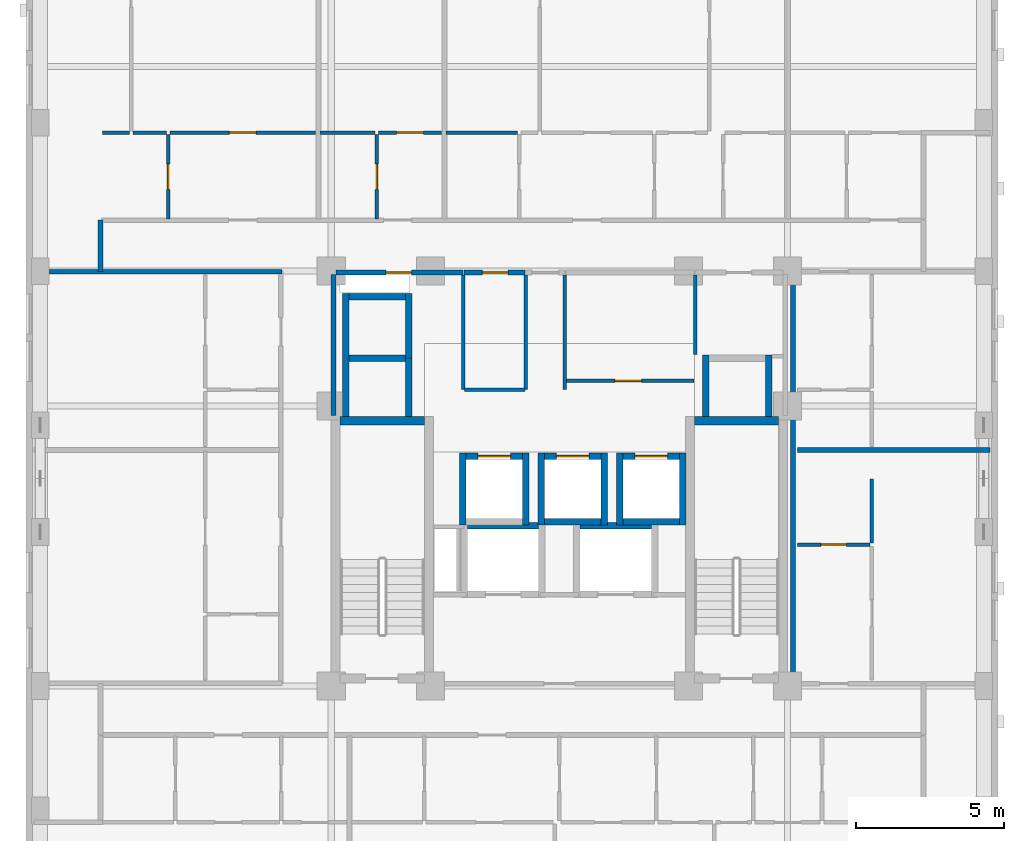
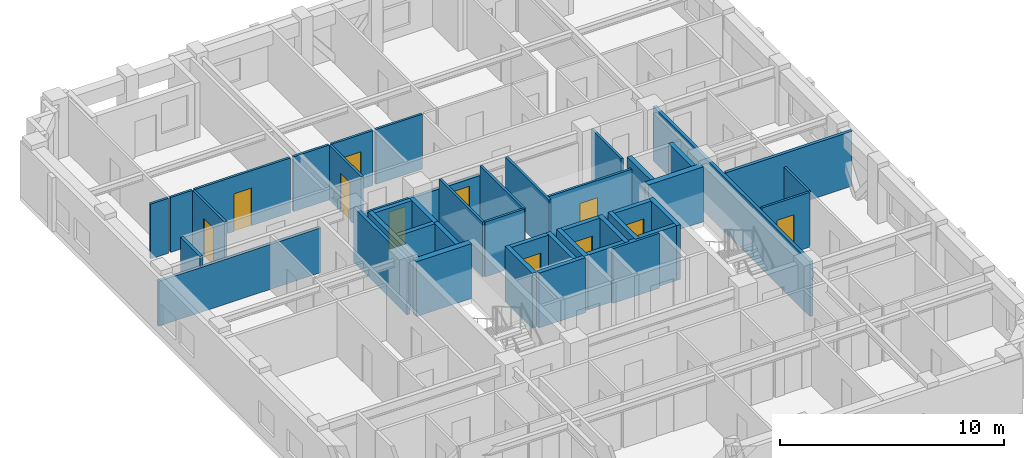
# One storey, part 5 of 11: 45 walls, 11 doors, 11 openings.
"""IFC4 building model written with IfcOpenShell, lengths in metres."""

from ifc_helpers import new_model, si_unit, derived_unit, direction, frame, frame_2d, origin, place, context, subcontext, project, spatial, rectangle, extrude, material, layer, layer_set, type_object, element, fill, save


model = new_model("IFC4")

# Units and contexts
model_context = context("Model", 3, precision=1e-05, world=origin(), true_north=direction((0.0, 1.0)))
body_context = subcontext(model_context, "Body", "Model", "MODEL_VIEW")
ifc_project = project(units=[si_unit("LENGTHUNIT", "METRE"), si_unit("AREAUNIT", "SQUARE_METRE"), si_unit("VOLUMEUNIT", "CUBIC_METRE"), si_unit("PLANEANGLEUNIT", "RADIAN"), si_unit("MASSUNIT", "GRAM", prefix="KILO"), derived_unit("THERMALTRANSMITTANCEUNIT", [(si_unit("MASSUNIT", "GRAM", prefix="KILO"), 1), (si_unit("TIMEUNIT", "SECOND"), -3), (si_unit("THERMODYNAMICTEMPERATUREUNIT", "KELVIN"), -1)])], contexts=[model_context])

# Site, building, storey
site_placement = place(None, origin())
site = spatial("IfcSite", under=ifc_project, at=site_placement, CompositionType="ELEMENT")
building_placement = place(site_placement, origin())
building = spatial("IfcBuilding", under=site, at=building_placement, Name="Korrvale Station Residences", CompositionType="ELEMENT")
storey_placement = place(building_placement, frame((0.0, 0.0, 163.39990234375)))
storey = spatial("IfcBuildingStorey", under=building, at=storey_placement, Name="L47", CompositionType="ELEMENT", Elevation=163.39990234375)

# Walls
ifc_material_1 = material(Name="Concrete C60/75", Category="concrete")
ifc_layer_1 = layer(ifc_material_1, 0.300048828125, Name="Concrete C60/75")
ifc_layer_set_1 = layer_set([ifc_layer_1], Name="Concrete C60/75")
wall_type_1 = type_object("IfcWallType", Name="WAL-CORE-300-C60", PredefinedType="SHEAR", material=ifc_layer_set_1)
for number, where, z_axis, x_axis, name in (
    (1, (18.10009765625, 23.949951171875, 0.0), (0.0, 0.0, 1.0), (1.0, 0.0, 0.0), "L47 ST-1 Core Shear Wall North"),
    (2, (30.050048828125, 23.949951171875, 0.0), (0.0, 0.0, 1.0), (1.0, 0.0, 0.0), "L47 ST-2 Core Shear Wall North"),
):
    element("IfcWall", number, at=place(storey_placement, frame(where, z_axis=z_axis, x_axis=x_axis)), inside=storey, type_object=wall_type_1, Name=name, PredefinedType="SHEAR", context=body_context, shape_type="SweptSolid", body=[
        extrude(rectangle(XDim=2.849853515625, YDim=0.300048828125, at=frame_2d((1.4248046875, 0.0))), origin(), (0.0, 0.0, 1.0), 2.989990234375),
    ])
ifc_material_2 = material(Name="Acoustic steel-stud gypsum board partition", Category="steel")
ifc_layer_2 = layer(ifc_material_2, 0.1201171875, Name="Acoustic steel-stud gypsum board partition")
ifc_layer_set_2 = layer_set([ifc_layer_2], Name="Acoustic steel-stud gypsum board partition")
wall_type_2 = type_object("IfcWallType", Name="WAL-PART-125", PredefinedType="PARTITIONING", material=ifc_layer_set_2)
for number, where, z_axis, x_axis, name in (
    (3, (24.360107421875, 25.0, 0.0), (0.0, 0.0, 1.0), (0.0, 1.0, 0.0), "L47 Core Partition CW-PSG-W"),
    (4, (25.679931640625, 25.0, 0.0), (0.0, 0.0, 1.0), (0.0, 1.0, 0.0), "L47 Core Partition CW-PSG-E"),
):
    element("IfcWall", number, at=place(storey_placement, frame(where, z_axis=z_axis, x_axis=x_axis)), inside=storey, type_object=wall_type_2, Name=name, PredefinedType="PARTITIONING", context=body_context, shape_type="SweptSolid", body=[
        extrude(rectangle(XDim=3.8701171875, YDim=0.1201171875, at=frame_2d((1.93505859375, 0.0))), origin(), (0.0, 0.0, 1.0), 2.989990234375),
    ])
wall_1_placement = place(storey_placement, frame((30.080078125, 26.179931640625, 0.0), z_axis=(0.0, 0.0, 1.0), x_axis=(0.0, 1.0, 0.0)))
element("IfcWall", 5, at=wall_1_placement, inside=storey, type_object=wall_type_2, Name="L47 Core Partition CW-CS-W", PredefinedType="PARTITIONING", context=body_context, shape_type="SweptSolid", body=[
    extrude(rectangle(XDim=2.68017578125, YDim=0.1201171875, at=frame_2d((1.340087890625, 0.0))), origin(), (0.0, 0.0, 1.0), 2.989990234375),
])
wall_2_placement = place(storey_placement, frame((22.260009765625, 25.0, 0.0), z_axis=(0.0, 0.0, 1.0), x_axis=(0.0, 1.0, 0.0)))
element("IfcWall", 6, at=wall_2_placement, inside=storey, type_object=wall_type_2, Name="L47 Core Partition CW-FPLW-W", PredefinedType="PARTITIONING", context=body_context, shape_type="SweptSolid", body=[
    extrude(rectangle(XDim=3.860107421875, YDim=0.1201171875, at=frame_2d((1.93017578125, 0.0))), origin(), (0.0, 0.0, 1.0), 2.989990234375),
])
wall_3_placement = place(storey_placement, frame((22.300048828125, 25.0, 0.0), z_axis=(0.0, 0.0, 1.0), x_axis=(1.0, 0.0, 0.0)))
element("IfcWall", 7, at=wall_3_placement, inside=storey, type_object=wall_type_2, Name="L47 Core Partition CW-FPLW-S", PredefinedType="PARTITIONING", context=body_context, shape_type="SweptSolid", body=[
    extrude(rectangle(XDim=2.0400390625, YDim=0.1201171875, at=frame_2d((1.02001953125, 0.0))), origin(), (0.0, 0.0, 1.0), 2.989990234375),
])

# Wall, opening, door
wall_4_placement = place(storey_placement, frame((25.719970703125, 25.300048828125, 0.0), z_axis=(0.0, 0.0, 1.0), x_axis=(1.0, 0.0, 0.0)))
wall_4 = element("IfcWall", 8, at=wall_4_placement, inside=storey, type_object=wall_type_2, Name="L47 Core Partition CW-FPLE-S", PredefinedType="PARTITIONING", context=body_context, shape_type="SweptSolid", body=[
    extrude(rectangle(XDim=4.320068359375, YDim=0.1201171875, at=frame_2d((2.16015625, 0.0))), origin(), (0.0, 0.0, 1.0), 2.989990234375),
])
opening_1_placement = place(wall_4_placement, frame((1.64990234375, 0.0, 0.0)))
opening_1 = element("IfcOpeningElement", 9, at=opening_1_placement, cuts=wall_4, Name="Opening DI-900", PredefinedType="OPENING", context=body_context, shape_type="SweptSolid", body=[
    extrude(rectangle(XDim=0.89990234375, YDim=2.050048828125, at=frame_2d((0.449951171875, 1.02490234375))), frame((0.0, 0.070068359375, 0.0), z_axis=(0.0, -1.0, 0.0), x_axis=(1.0, 0.0, 0.0)), (0.0, 0.0, 1.0), 0.14013671875),
])
ifc_material_3 = material(Name="Painted solid-core timber interior room door", Category="wood")
door_type_1 = type_object("IfcDoorType", Name="DR-INT-900", OperationType="NOTDEFINED", PredefinedType="DOOR", material=ifc_material_3)
door_1_placement = place(opening_1_placement, origin())
door_1 = element("IfcDoor", 10, at=door_1_placement, inside=storey, type_object=door_type_1, Name="L47 Housekeeping Linen Door", OperationType="SINGLE_SWING_LEFT", OverallHeight=2.050048828125, OverallWidth=0.89990234375, PredefinedType="DOOR", context=body_context, shape_type="SweptSolid", body=[
    extrude(rectangle(XDim=0.89990234375, YDim=2.050048828125, at=frame_2d((0.449951171875, 1.02490234375))), frame((0.0, 0.02490234375, 0.0), z_axis=(0.0, -1.0, 0.0), x_axis=(1.0, 0.0, 0.0)), (0.0, 0.0, 1.0), 0.050048828125),
])
fill(opening_1, door_1)

wall_5_placement = place(storey_placement, frame((12.297119140625, 30.760009765625, 0.0), z_axis=(0.0, 0.0, 1.0), x_axis=(0.0, 1.0, 0.0)))
wall_5 = element("IfcWall", 11, at=wall_5_placement, inside=storey, type_object=wall_type_2, Name="L47 Suite Partition U03-V01", PredefinedType="PARTITIONING", context=body_context, shape_type="SweptSolid", body=[
    extrude(rectangle(XDim=2.85009765625, YDim=0.1201171875, at=frame_2d((1.425048828125, 0.0))), origin(), (0.0, 0.0, 1.0), 2.989990234375),
])
opening_2_placement = place(wall_5_placement, frame((0.9951171875, 0.0, 0.0)))
opening_2 = element("IfcOpeningElement", 12, at=opening_2_placement, cuts=wall_5, Name="Opening DB-860", PredefinedType="OPENING", context=body_context, shape_type="SweptSolid", body=[
    extrude(rectangle(XDim=0.860107421875, YDim=2.050048828125, at=frame_2d((0.43017578125, 1.02490234375))), frame((0.0, 0.070068359375, 0.0), z_axis=(0.0, -1.0, 0.0), x_axis=(1.0, 0.0, 0.0)), (0.0, 0.0, 1.0), 0.14013671875),
])
ifc_material_4 = material(Name="Moisture-resistant solid-core bathroom door", Category="timber")
door_type_2 = type_object("IfcDoorType", Name="DR-BATH-860", OperationType="NOTDEFINED", PredefinedType="DOOR", material=ifc_material_4)
door_2_placement = place(opening_2_placement, origin())
door_2 = element("IfcDoor", 13, at=door_2_placement, inside=storey, type_object=door_type_2, Name="L47 Studio Apartment L47-U03 Bathroom Door", OperationType="SINGLE_SWING_RIGHT", OverallHeight=2.050048828125, OverallWidth=0.860107421875, PredefinedType="DOOR", context=body_context, shape_type="SweptSolid", body=[
    extrude(rectangle(XDim=0.860107421875, YDim=2.050048828125, at=frame_2d((0.43017578125, 1.02490234375))), frame((0.0, 0.02490234375, 0.0), z_axis=(0.0, -1.0, 0.0), x_axis=(1.0, 0.0, 0.0)), (0.0, 0.0, 1.0), 0.050048828125),
])
fill(opening_2, door_2)

# Walls
wall_6_placement = place(storey_placement, frame((10.080078125, 33.669921875, 0.0), z_axis=(0.0, 0.0, 1.0), x_axis=(1.0, 0.0, 0.0)))
element("IfcWall", 14, at=wall_6_placement, inside=storey, type_object=wall_type_2, Name="L47 Suite Partition U03-H02", PredefinedType="PARTITIONING", context=body_context, shape_type="SweptSolid", body=[
    extrude(rectangle(XDim=0.909912109375, YDim=0.1201171875, at=frame_2d((0.455078125, 0.0))), origin(), (0.0, 0.0, 1.0), 2.989990234375),
])
wall_7_placement = place(storey_placement, frame((11.110107421875, 33.669921875, 0.0), z_axis=(0.0, 0.0, 1.0), x_axis=(1.0, 0.0, 0.0)))
element("IfcWall", 15, at=wall_7_placement, inside=storey, type_object=wall_type_2, Name="L47 Suite Partition U03-H03", PredefinedType="PARTITIONING", context=body_context, shape_type="SweptSolid", body=[
    extrude(rectangle(XDim=1.126953125, YDim=0.1201171875, at=frame_2d((0.5634765625, 0.0))), origin(), (0.0, 0.0, 1.0), 2.989990234375),
])

# Wall, opening, door
wall_8_placement = place(storey_placement, frame((12.35693359375, 33.669921875, 0.0), z_axis=(0.0, 0.0, 1.0), x_axis=(1.0, 0.0, 0.0)))
wall_8 = element("IfcWall", 16, at=wall_8_placement, inside=storey, type_object=wall_type_2, Name="L47 Suite Partition U03-H13", PredefinedType="PARTITIONING", context=body_context, shape_type="SweptSolid", body=[
    extrude(rectangle(XDim=4.9130859375, YDim=0.1201171875, at=frame_2d((2.45654296875, 0.0))), origin(), (0.0, 0.0, 1.0), 2.989990234375),
])
opening_3_placement = place(wall_8_placement, frame((2.006103515625, 0.0, 0.0)))
opening_3 = element("IfcOpeningElement", 17, at=opening_3_placement, cuts=wall_8, Name="Opening DI-900", PredefinedType="OPENING", context=body_context, shape_type="SweptSolid", body=[
    extrude(rectangle(XDim=0.89990234375, YDim=2.050048828125, at=frame_2d((0.449951171875, 1.02490234375))), frame((0.0, 0.070068359375, 0.0), z_axis=(0.0, -1.0, 0.0), x_axis=(1.0, 0.0, 0.0)), (0.0, 0.0, 1.0), 0.14013671875),
])
door_3_placement = place(opening_3_placement, origin())
door_3 = element("IfcDoor", 18, at=door_3_placement, inside=storey, type_object=door_type_1, Name="L47 Studio Apartment L47-U03 Kitchen Door", OperationType="SINGLE_SWING_LEFT", OverallHeight=2.050048828125, OverallWidth=0.89990234375, PredefinedType="DOOR", context=body_context, shape_type="SweptSolid", body=[
    extrude(rectangle(XDim=0.89990234375, YDim=2.050048828125, at=frame_2d((0.449951171875, 1.02490234375))), frame((0.0, 0.02490234375, 0.0), z_axis=(0.0, -1.0, 0.0), x_axis=(1.0, 0.0, 0.0)), (0.0, 0.0, 1.0), 0.050048828125),
])
fill(opening_3, door_3)

wall_9_placement = place(storey_placement, frame((19.340087890625, 30.760009765625, 0.0), z_axis=(0.0, 0.0, 1.0), x_axis=(0.0, 1.0, 0.0)))
wall_9 = element("IfcWall", 19, at=wall_9_placement, inside=storey, type_object=wall_type_2, Name="L47 Suite Partition U04-V01", PredefinedType="PARTITIONING", context=body_context, shape_type="SweptSolid", body=[
    extrude(rectangle(XDim=2.85009765625, YDim=0.1201171875, at=frame_2d((1.425048828125, 0.0))), origin(), (0.0, 0.0, 1.0), 2.989990234375),
])
opening_4_placement = place(wall_9_placement, frame((0.9951171875, 0.0, 0.0)))
opening_4 = element("IfcOpeningElement", 20, at=opening_4_placement, cuts=wall_9, Name="Opening DB-860", PredefinedType="OPENING", context=body_context, shape_type="SweptSolid", body=[
    extrude(rectangle(XDim=0.860107421875, YDim=2.050048828125, at=frame_2d((0.43017578125, 1.02490234375))), frame((0.0, 0.070068359375, 0.0), z_axis=(0.0, -1.0, 0.0), x_axis=(1.0, 0.0, 0.0)), (0.0, 0.0, 1.0), 0.14013671875),
])
door_4_placement = place(opening_4_placement, origin())
door_4 = element("IfcDoor", 21, at=door_4_placement, inside=storey, type_object=door_type_2, Name="L47 Studio Apartment L47-U04 Bathroom Door", OperationType="SINGLE_SWING_LEFT", OverallHeight=2.050048828125, OverallWidth=0.860107421875, PredefinedType="DOOR", context=body_context, shape_type="SweptSolid", body=[
    extrude(rectangle(XDim=0.860107421875, YDim=2.050048828125, at=frame_2d((0.43017578125, 1.02490234375))), frame((0.0, 0.02490234375, 0.0), z_axis=(0.0, -1.0, 0.0), x_axis=(1.0, 0.0, 0.0)), (0.0, 0.0, 1.0), 0.050048828125),
])
fill(opening_4, door_4)

# Wall
wall_10_placement = place(storey_placement, frame((17.429931640625, 33.669921875, 0.0), z_axis=(0.0, 0.0, 1.0), x_axis=(1.0, 0.0, 0.0)))
element("IfcWall", 22, at=wall_10_placement, inside=storey, type_object=wall_type_2, Name="L47 Suite Partition U04-H02", PredefinedType="PARTITIONING", context=body_context, shape_type="SweptSolid", body=[
    extrude(rectangle(XDim=1.85009765625, YDim=0.1201171875, at=frame_2d((0.925048828125, 0.0))), origin(), (0.0, 0.0, 1.0), 2.989990234375),
])

# Wall, opening, door
wall_11_placement = place(storey_placement, frame((19.39990234375, 33.669921875, 0.0), z_axis=(0.0, 0.0, 1.0), x_axis=(1.0, 0.0, 0.0)))
wall_11 = element("IfcWall", 23, at=wall_11_placement, inside=storey, type_object=wall_type_2, Name="L47 Suite Partition U04-H12", PredefinedType="PARTITIONING", context=body_context, shape_type="SweptSolid", body=[
    extrude(rectangle(XDim=2.12109375, YDim=0.1201171875, at=frame_2d((1.060546875, 0.0))), origin(), (0.0, 0.0, 1.0), 2.989990234375),
])
opening_5_placement = place(wall_11_placement, frame((0.611083984375, 0.0, 0.0)))
opening_5 = element("IfcOpeningElement", 24, at=opening_5_placement, cuts=wall_11, Name="Opening DI-900", PredefinedType="OPENING", context=body_context, shape_type="SweptSolid", body=[
    extrude(rectangle(XDim=0.89990234375, YDim=2.050048828125, at=frame_2d((0.449951171875, 1.02490234375))), frame((0.0, 0.070068359375, 0.0), z_axis=(0.0, -1.0, 0.0), x_axis=(1.0, 0.0, 0.0)), (0.0, 0.0, 1.0), 0.14013671875),
])
door_5_placement = place(opening_5_placement, origin())
door_5 = element("IfcDoor", 25, at=door_5_placement, inside=storey, type_object=door_type_1, Name="L47 Studio Apartment L47-U04 Kitchen Door", OperationType="SINGLE_SWING_RIGHT", OverallHeight=2.050048828125, OverallWidth=0.89990234375, PredefinedType="DOOR", context=body_context, shape_type="SweptSolid", body=[
    extrude(rectangle(XDim=0.89990234375, YDim=2.050048828125, at=frame_2d((0.449951171875, 1.02490234375))), frame((0.0, 0.02490234375, 0.0), z_axis=(0.0, -1.0, 0.0), x_axis=(1.0, 0.0, 0.0)), (0.0, 0.0, 1.0), 0.050048828125),
])
fill(opening_5, door_5)

# Wall
wall_12_placement = place(storey_placement, frame((21.680908203125, 33.669921875, 0.0), z_axis=(0.0, 0.0, 1.0), x_axis=(1.0, 0.0, 0.0)))
element("IfcWall", 26, at=wall_12_placement, inside=storey, type_object=wall_type_2, Name="L47 Suite Partition U05-H04", PredefinedType="PARTITIONING", context=body_context, shape_type="SweptSolid", body=[
    extrude(rectangle(XDim=2.400146484375, YDim=0.1201171875, at=frame_2d((1.2001953125, 0.0))), origin(), (0.0, 0.0, 1.0), 2.989990234375),
])

# Wall, opening, door
wall_13_placement = place(storey_placement, frame((33.530029296875, 19.77001953125, 0.0), z_axis=(0.0, 0.0, 1.0), x_axis=(1.0, 0.0, 0.0)))
wall_13 = element("IfcWall", 27, at=wall_13_placement, inside=storey, type_object=wall_type_2, Name="L47 Suite Partition U09-H01", PredefinedType="PARTITIONING", context=body_context, shape_type="SweptSolid", body=[
    extrude(rectangle(XDim=2.449951171875, YDim=0.1201171875, at=frame_2d((1.22509765625, 0.0))), origin(), (0.0, 0.0, 1.0), 2.989990234375),
])
opening_6_placement = place(wall_13_placement, frame((0.794921875, 0.0, 0.0)))
opening_6 = element("IfcOpeningElement", 28, at=opening_6_placement, cuts=wall_13, Name="Opening DB-860", PredefinedType="OPENING", context=body_context, shape_type="SweptSolid", body=[
    extrude(rectangle(XDim=0.860107421875, YDim=2.050048828125, at=frame_2d((0.43017578125, 1.02490234375))), frame((0.0, 0.070068359375, 0.0), z_axis=(0.0, -1.0, 0.0), x_axis=(1.0, 0.0, 0.0)), (0.0, 0.0, 1.0), 0.14013671875),
])
door_6_placement = place(opening_6_placement, origin())
door_6 = element("IfcDoor", 29, at=door_6_placement, inside=storey, type_object=door_type_2, Name="L47 Apartment 1BR L47-U09 Bathroom Door", OperationType="SINGLE_SWING_RIGHT", OverallHeight=2.050048828125, OverallWidth=0.860107421875, PredefinedType="DOOR", context=body_context, shape_type="SweptSolid", body=[
    extrude(rectangle(XDim=0.860107421875, YDim=2.050048828125, at=frame_2d((0.43017578125, 1.02490234375))), frame((0.0, 0.02490234375, 0.0), z_axis=(0.0, -1.0, 0.0), x_axis=(1.0, 0.0, 0.0)), (0.0, 0.0, 1.0), 0.050048828125),
])
fill(opening_6, door_6)

# Walls
wall_14_placement = place(storey_placement, frame((36.0400390625, 19.830078125, 0.0), z_axis=(0.0, 0.0, 1.0), x_axis=(0.0, 1.0, 0.0)))
element("IfcWall", 30, at=wall_14_placement, inside=storey, type_object=wall_type_2, Name="L47 Suite Partition U09-V02", PredefinedType="PARTITIONING", context=body_context, shape_type="SweptSolid", body=[
    extrude(rectangle(XDim=2.158935546875, YDim=0.1201171875, at=frame_2d((1.07958984375, 0.0))), origin(), (0.0, 0.0, 1.0), 2.989990234375),
])
ifc_material_5 = material(Name="Fire-rated twin-stud gypsum and mineral wool shaftwall assembly", Category="gypsum")
ifc_layer_3 = layer(ifc_material_5, 0.159912109375, Name="Fire-rated twin-stud gypsum and mineral wool shaftwall assembly")
ifc_layer_set_3 = layer_set([ifc_layer_3], Name="Fire-rated twin-stud gypsum and mineral wool shaftwall assembly")
wall_type_3 = type_object("IfcWallType", Name="WAL-PART-200", PredefinedType="PARTITIONING", material=ifc_layer_set_3)
wall_15_placement = place(storey_placement, frame((17.8798828125, 24.1201171875, 0.0), z_axis=(0.0, 0.0, 1.0), x_axis=(0.0, 1.0, 0.0)))
element("IfcWall", 31, at=wall_15_placement, inside=storey, type_object=wall_type_3, Name="L47 Core Partition CW-W-N", PredefinedType="PARTITIONING", context=body_context, shape_type="SweptSolid", body=[
    extrude(rectangle(XDim=4.759765625, YDim=0.159912109375, at=frame_2d((2.3798828125, 0.0))), origin(), (0.0, 0.0, 1.0), 2.989990234375),
])

# Wall, opening, door
wall_16_placement = place(storey_placement, frame((17.9599609375, 28.949951171875, 0.0), z_axis=(0.0, 0.0, 1.0), x_axis=(1.0, 0.0, 0.0)))
wall_16 = element("IfcWall", 32, at=wall_16_placement, inside=storey, type_object=wall_type_3, Name="L47 Core Partition CW-NW", PredefinedType="PARTITIONING", context=body_context, shape_type="SweptSolid", body=[
    extrude(rectangle(XDim=4.2900390625, YDim=0.159912109375, at=frame_2d((2.14501953125, 0.0))), origin(), (0.0, 0.0, 1.0), 2.442138671875),
])
opening_7_placement = place(wall_16_placement, frame((1.695068359375, 0.0, 0.0)))
opening_7 = element("IfcOpeningElement", 33, at=opening_7_placement, cuts=wall_16, Name="Opening DB-860", PredefinedType="OPENING", context=body_context, shape_type="SweptSolid", body=[
    extrude(rectangle(XDim=0.860107421875, YDim=2.050048828125, at=frame_2d((0.43017578125, 1.02490234375))), frame((0.0, 0.08984375, 0.0), z_axis=(0.0, -1.0, 0.0), x_axis=(1.0, 0.0, 0.0)), (0.0, 0.0, 1.0), 0.179931640625),
])
door_7_placement = place(opening_7_placement, origin())
door_7 = element("IfcDoor", 34, at=door_7_placement, inside=storey, type_object=door_type_2, Name="L47 Electrical Riser Access Door", OperationType="SINGLE_SWING_RIGHT", OverallHeight=2.050048828125, OverallWidth=0.860107421875, PredefinedType="DOOR", context=body_context, shape_type="SweptSolid", body=[
    extrude(rectangle(XDim=0.860107421875, YDim=2.050048828125, at=frame_2d((0.43017578125, 1.02490234375))), frame((0.0, 0.02490234375, 0.0), z_axis=(0.0, -1.0, 0.0), x_axis=(1.0, 0.0, 0.0)), (0.0, 0.0, 1.0), 0.050048828125),
])
fill(opening_7, door_7)

wall_17_placement = place(storey_placement, frame((22.280029296875, 28.949951171875, 0.0), z_axis=(0.0, 0.0, 1.0), x_axis=(1.0, 0.0, 0.0)))
wall_17 = element("IfcWall", 35, at=wall_17_placement, inside=storey, type_object=wall_type_3, Name="L47 Core Partition CW-FPLW-N", PredefinedType="PARTITIONING", context=body_context, shape_type="SweptSolid", body=[
    extrude(rectangle(XDim=2.06005859375, YDim=0.159912109375, at=frame_2d((1.030029296875, 0.0))), origin(), (0.0, 0.0, 1.0), 2.442138671875),
])
opening_8_placement = place(wall_17_placement, frame((0.6201171875, 0.0, 0.0)))
opening_8 = element("IfcOpeningElement", 36, at=opening_8_placement, cuts=wall_17, Name="Opening DB-860", PredefinedType="OPENING", context=body_context, shape_type="SweptSolid", body=[
    extrude(rectangle(XDim=0.860107421875, YDim=2.050048828125, at=frame_2d((0.43017578125, 1.02490234375))), frame((0.0, 0.08984375, 0.0), z_axis=(0.0, -1.0, 0.0), x_axis=(1.0, 0.0, 0.0)), (0.0, 0.0, 1.0), 0.179931640625),
])
door_8_placement = place(opening_8_placement, origin())
door_8 = element("IfcDoor", 37, at=door_8_placement, inside=storey, type_object=door_type_2, Name="L47 Resident Parcel Room Door", OperationType="SINGLE_SWING_RIGHT", OverallHeight=2.050048828125, OverallWidth=0.860107421875, PredefinedType="DOOR", context=body_context, shape_type="SweptSolid", body=[
    extrude(rectangle(XDim=0.860107421875, YDim=2.050048828125, at=frame_2d((0.43017578125, 1.02490234375))), frame((0.0, 0.02490234375, 0.0), z_axis=(0.0, -1.0, 0.0), x_axis=(1.0, 0.0, 0.0)), (0.0, 0.0, 1.0), 0.050048828125),
])
fill(opening_8, door_8)

# Walls
wall_18_placement = place(storey_placement, frame((10.02001953125, 28.97998046875, 0.0), z_axis=(0.0, 0.0, 1.0), x_axis=(0.0, 1.0, 0.0)))
element("IfcWall", 38, at=wall_18_placement, inside=storey, type_object=wall_type_3, Name="L47 Corridor North West Cap", PredefinedType="PARTITIONING", context=body_context, shape_type="SweptSolid", body=[
    extrude(rectangle(XDim=1.739990234375, YDim=0.159912109375, at=frame_2d((0.8701171875, 0.0))), origin(), (0.0, 0.0, 1.0), 2.989990234375),
])
wall_19_placement = place(storey_placement, frame((7.780029296875, 28.97998046875, 0.0), z_axis=(0.0, 0.0, 1.0), x_axis=(1.0, 0.0, 0.0)))
element("IfcWall", 39, at=wall_19_placement, inside=storey, type_object=wall_type_3, Name="L47 West Wing North Corridor Wall", PredefinedType="PARTITIONING", context=body_context, shape_type="SweptSolid", body=[
    extrude(rectangle(XDim=8.35986328125, YDim=0.159912109375, at=frame_2d((4.179931640625, 0.0))), origin(), (0.0, 0.0, 1.0), 2.442138671875),
])
wall_20_placement = place(storey_placement, frame((33.530029296875, 22.9619140625, 0.0), z_axis=(0.0, 0.0, 1.0), x_axis=(1.0, 0.0, 0.0)))
element("IfcWall", 40, at=wall_20_placement, inside=storey, type_object=wall_type_3, Name="L47 Demising Wall U09-N", PredefinedType="PARTITIONING", context=body_context, shape_type="SweptSolid", body=[
    extrude(rectangle(XDim=6.489990234375, YDim=0.159912109375, at=frame_2d((3.2451171875, 0.0))), origin(), (0.0, 0.0, 1.0), 2.989990234375),
])
wall_21_placement = place(storey_placement, frame((33.3798828125, 15.02001953125, 0.0), z_axis=(0.0, 0.0, 1.0), x_axis=(0.0, 1.0, 0.0)))
element("IfcWall", 41, at=wall_21_placement, inside=storey, type_object=wall_type_3, Name="L47 Rated Corridor Wall E", PredefinedType="PARTITIONING", context=body_context, shape_type="SweptSolid", body=[
    extrude(rectangle(XDim=13.97998046875, YDim=0.159912109375, at=frame_2d((6.989990234375, 0.0))), origin(), (0.0, 0.0, 1.0), 2.989990234375),
])

# Wall, opening, door
ifc_layer_4 = layer(ifc_material_1, 0.219970703125, Name="Concrete C60/75")
ifc_layer_set_4 = layer_set([ifc_layer_4], Name="Concrete C60/75")
wall_type_4 = type_object("IfcWallType", Name="WAL-SHAFT-220-C60", PredefinedType="SHEAR", material=ifc_layer_set_4)
wall_22_placement = place(storey_placement, frame((22.35009765625, 22.760009765625, 0.0), z_axis=(0.0, 0.0, 1.0), x_axis=(1.0, 0.0, 0.0)))
wall_22 = element("IfcWall", 42, at=wall_22_placement, inside=storey, type_object=wall_type_4, Name="L47 Elevator PM-1 Hoistway Wall North", PredefinedType="SHEAR", context=body_context, shape_type="SweptSolid", body=[
    extrude(rectangle(XDim=1.89990234375, YDim=0.219970703125, at=frame_2d((0.949951171875, 0.0))), origin(), (0.0, 0.0, 1.0), 2.989990234375),
])
opening_9_placement = place(wall_22_placement, frame((0.39990234375, 0.0, 0.0)))
opening_9 = element("IfcOpeningElement", 43, at=opening_9_placement, cuts=wall_22, Name="Opening LD-1100", PredefinedType="OPENING", context=body_context, shape_type="SweptSolid", body=[
    extrude(rectangle(XDim=1.10009765625, YDim=2.14990234375, at=frame_2d((0.550048828125, 1.074951171875))), frame((0.0, 0.1201171875, 0.0), z_axis=(0.0, -1.0, 0.0), x_axis=(1.0, 0.0, 0.0)), (0.0, 0.0, 1.0), 0.239990234375),
])
ifc_material_6 = material(Name="Brushed stainless-steel elevator landing sliding door", Category="steel")
door_type_3 = type_object("IfcDoorType", Name="DR-LIFT-1100", OperationType="SLIDING_TO_LEFT", PredefinedType="DOOR", material=ifc_material_6)
door_9_placement = place(opening_9_placement, origin())
door_9 = element("IfcDoor", 44, at=door_9_placement, inside=storey, type_object=door_type_3, Name="L47 Elevator PM-1 Sliding Landing Door", OperationType="SLIDING_TO_LEFT", OverallHeight=2.14990234375, OverallWidth=1.10009765625, PredefinedType="DOOR", context=body_context, shape_type="SweptSolid", body=[
    extrude(rectangle(XDim=1.10009765625, YDim=2.14990234375, at=frame_2d((0.550048828125, 1.074951171875))), frame((0.0, 0.02490234375, 0.0), z_axis=(0.0, -1.0, 0.0), x_axis=(1.0, 0.0, 0.0)), (0.0, 0.0, 1.0), 0.050048828125),
])
fill(opening_9, door_9)

# Walls
for number, where, z_axis, x_axis, name in (
    (45, (22.239990234375, 20.429931640625, 0.0), (0.0, 0.0, 1.0), (0.0, 1.0, 0.0), "L47 Elevator PM-1 Hoistway Wall West"),
    (46, (24.360107421875, 20.429931640625, 0.0), (0.0, 0.0, 1.0), (0.0, 1.0, 0.0), "L47 Elevator PM-1 Hoistway Wall East"),
):
    element("IfcWall", number, at=place(storey_placement, frame(where, z_axis=z_axis, x_axis=x_axis)), inside=storey, type_object=wall_type_4, Name=name, PredefinedType="SHEAR", context=body_context, shape_type="SweptSolid", body=[
        extrude(rectangle(XDim=2.440185546875, YDim=0.219970703125, at=frame_2d((1.22021484375, 0.0))), origin(), (0.0, 0.0, 1.0), 2.989990234375),
    ])
wall_23_placement = place(storey_placement, frame((25.0, 20.5400390625, 0.0), z_axis=(0.0, 0.0, 1.0), x_axis=(1.0, 0.0, 0.0)))
element("IfcWall", 47, at=wall_23_placement, inside=storey, type_object=wall_type_4, Name="L47 Elevator PM-2 Hoistway Wall South", PredefinedType="SHEAR", context=body_context, shape_type="SweptSolid", body=[
    extrude(rectangle(XDim=1.89990234375, YDim=0.219970703125, at=frame_2d((0.949951171875, 0.0))), origin(), (0.0, 0.0, 1.0), 2.989990234375),
])

# Wall, opening, door
wall_24_placement = place(storey_placement, frame((25.0, 22.760009765625, 0.0), z_axis=(0.0, 0.0, 1.0), x_axis=(1.0, 0.0, 0.0)))
wall_24 = element("IfcWall", 48, at=wall_24_placement, inside=storey, type_object=wall_type_4, Name="L47 Elevator PM-2 Hoistway Wall North", PredefinedType="SHEAR", context=body_context, shape_type="SweptSolid", body=[
    extrude(rectangle(XDim=1.89990234375, YDim=0.219970703125, at=frame_2d((0.949951171875, 0.0))), origin(), (0.0, 0.0, 1.0), 2.989990234375),
])
opening_10_placement = place(wall_24_placement, frame((0.39990234375, 0.0, 0.0)))
opening_10 = element("IfcOpeningElement", 49, at=opening_10_placement, cuts=wall_24, Name="Opening LD-1100", PredefinedType="OPENING", context=body_context, shape_type="SweptSolid", body=[
    extrude(rectangle(XDim=1.10009765625, YDim=2.14990234375, at=frame_2d((0.550048828125, 1.074951171875))), frame((0.0, 0.1201171875, 0.0), z_axis=(0.0, -1.0, 0.0), x_axis=(1.0, 0.0, 0.0)), (0.0, 0.0, 1.0), 0.239990234375),
])
door_10_placement = place(opening_10_placement, origin())
door_10 = element("IfcDoor", 50, at=door_10_placement, inside=storey, type_object=door_type_3, Name="L47 Elevator PM-2 Sliding Landing Door", OperationType="SLIDING_TO_LEFT", OverallHeight=2.14990234375, OverallWidth=1.10009765625, PredefinedType="DOOR", context=body_context, shape_type="SweptSolid", body=[
    extrude(rectangle(XDim=1.10009765625, YDim=2.14990234375, at=frame_2d((0.550048828125, 1.074951171875))), frame((0.0, 0.02490234375, 0.0), z_axis=(0.0, -1.0, 0.0), x_axis=(1.0, 0.0, 0.0)), (0.0, 0.0, 1.0), 0.050048828125),
])
fill(opening_10, door_10)

# Walls
for number, where, z_axis, x_axis, name in (
    (51, (24.889892578125, 20.429931640625, 0.0), (0.0, 0.0, 1.0), (0.0, 1.0, 0.0), "L47 Elevator PM-2 Hoistway Wall West"),
    (52, (27.010009765625, 20.429931640625, 0.0), (0.0, 0.0, 1.0), (0.0, 1.0, 0.0), "L47 Elevator PM-2 Hoistway Wall East"),
):
    element("IfcWall", number, at=place(storey_placement, frame(where, z_axis=z_axis, x_axis=x_axis)), inside=storey, type_object=wall_type_4, Name=name, PredefinedType="SHEAR", context=body_context, shape_type="SweptSolid", body=[
        extrude(rectangle(XDim=2.440185546875, YDim=0.219970703125, at=frame_2d((1.22021484375, 0.0))), origin(), (0.0, 0.0, 1.0), 2.989990234375),
    ])
wall_25_placement = place(storey_placement, frame((27.64990234375, 20.5400390625, 0.0), z_axis=(0.0, 0.0, 1.0), x_axis=(1.0, 0.0, 0.0)))
element("IfcWall", 53, at=wall_25_placement, inside=storey, type_object=wall_type_4, Name="L47 Elevator PM-3 Hoistway Wall South", PredefinedType="SHEAR", context=body_context, shape_type="SweptSolid", body=[
    extrude(rectangle(XDim=1.900146484375, YDim=0.219970703125, at=frame_2d((0.9501953125, 0.0))), origin(), (0.0, 0.0, 1.0), 2.989990234375),
])

# Wall, opening, door
wall_26_placement = place(storey_placement, frame((27.64990234375, 22.760009765625, 0.0), z_axis=(0.0, 0.0, 1.0), x_axis=(1.0, 0.0, 0.0)))
wall_26 = element("IfcWall", 54, at=wall_26_placement, inside=storey, type_object=wall_type_4, Name="L47 Elevator PM-3 Hoistway Wall North", PredefinedType="SHEAR", context=body_context, shape_type="SweptSolid", body=[
    extrude(rectangle(XDim=1.900146484375, YDim=0.219970703125, at=frame_2d((0.9501953125, 0.0))), origin(), (0.0, 0.0, 1.0), 2.989990234375),
])
opening_11_placement = place(wall_26_placement, frame((0.39990234375, 0.0, 0.0)))
opening_11 = element("IfcOpeningElement", 55, at=opening_11_placement, cuts=wall_26, Name="Opening LD-1100", PredefinedType="OPENING", context=body_context, shape_type="SweptSolid", body=[
    extrude(rectangle(XDim=1.10009765625, YDim=2.14990234375, at=frame_2d((0.550048828125, 1.074951171875))), frame((0.0, 0.1201171875, 0.0), z_axis=(0.0, -1.0, 0.0), x_axis=(1.0, 0.0, 0.0)), (0.0, 0.0, 1.0), 0.239990234375),
])
door_11_placement = place(opening_11_placement, origin())
door_11 = element("IfcDoor", 56, at=door_11_placement, inside=storey, type_object=door_type_3, Name="L47 Elevator PM-3 Sliding Landing Door", OperationType="SLIDING_TO_LEFT", OverallHeight=2.14990234375, OverallWidth=1.10009765625, PredefinedType="DOOR", context=body_context, shape_type="SweptSolid", body=[
    extrude(rectangle(XDim=1.10009765625, YDim=2.14990234375, at=frame_2d((0.550048828125, 1.074951171875))), frame((0.0, 0.02490234375, 0.0), z_axis=(0.0, -1.0, 0.0), x_axis=(1.0, 0.0, 0.0)), (0.0, 0.0, 1.0), 0.050048828125),
])
fill(opening_11, door_11)

# Walls
for number, where, z_axis, x_axis, name in (
    (57, (27.5400390625, 20.429931640625, 0.0), (0.0, 0.0, 1.0), (0.0, 1.0, 0.0), "L47 Elevator PM-3 Hoistway Wall West"),
    (58, (29.659912109375, 20.429931640625, 0.0), (0.0, 0.0, 1.0), (0.0, 1.0, 0.0), "L47 Elevator PM-3 Hoistway Wall East"),
):
    element("IfcWall", number, at=place(storey_placement, frame(where, z_axis=z_axis, x_axis=x_axis)), inside=storey, type_object=wall_type_4, Name=name, PredefinedType="SHEAR", context=body_context, shape_type="SweptSolid", body=[
        extrude(rectangle(XDim=2.440185546875, YDim=0.219970703125, at=frame_2d((1.22021484375, 0.0))), origin(), (0.0, 0.0, 1.0), 2.989990234375),
    ])
wall_27_placement = place(storey_placement, frame((18.2900390625, 24.10009765625, 0.0), z_axis=(0.0, 0.0, 1.0), x_axis=(0.0, 1.0, 0.0)))
element("IfcWall", 59, at=wall_27_placement, inside=storey, type_object=wall_type_4, Name="L47 Elevator PH-1 Hoistway Wall West", PredefinedType="SHEAR", context=body_context, shape_type="SweptSolid", body=[
    extrude(rectangle(XDim=4.139892578125, YDim=0.219970703125, at=frame_2d((2.06982421875, 0.0))), origin(), (0.0, 0.0, 1.0), 2.989990234375),
])
wall_28_placement = place(storey_placement, frame((20.409912109375, 24.10009765625, 0.0), z_axis=(0.0, 0.0, 1.0), x_axis=(0.0, 1.0, 0.0)))
element("IfcWall", 60, at=wall_28_placement, inside=storey, type_object=wall_type_4, Name="L47 Elevator PH-1 Hoistway Wall East", PredefinedType="SHEAR", context=body_context, shape_type="SweptSolid", body=[
    extrude(rectangle(XDim=1.9599609375, YDim=0.219970703125, at=frame_2d((0.97998046875, 0.0))), origin(), (0.0, 0.0, 1.0), 2.989990234375),
])
for number, where, z_axis, x_axis, name in (
    (61, (18.39990234375, 26.06005859375, 0.0), (0.0, 0.0, 1.0), (1.0, 0.0, 0.0), "L47 Elevator PH-2 Hoistway Wall South"),
    (62, (18.39990234375, 28.1298828125, 0.0), (0.0, 0.0, 1.0), (1.0, 0.0, 0.0), "L47 Elevator PH-2 Hoistway Wall North"),
):
    element("IfcWall", number, at=place(storey_placement, frame(where, z_axis=z_axis, x_axis=x_axis)), inside=storey, type_object=wall_type_4, Name=name, PredefinedType="SHEAR", context=body_context, shape_type="SweptSolid", body=[
        extrude(rectangle(XDim=1.900146484375, YDim=0.219970703125, at=frame_2d((0.9501953125, 0.0))), origin(), (0.0, 0.0, 1.0), 2.989990234375),
    ])
wall_29_placement = place(storey_placement, frame((20.409912109375, 26.06005859375, 0.0), z_axis=(0.0, 0.0, 1.0), x_axis=(0.0, 1.0, 0.0)))
element("IfcWall", 63, at=wall_29_placement, inside=storey, type_object=wall_type_4, Name="L47 Elevator PH-2 Hoistway Wall East", PredefinedType="SHEAR", context=body_context, shape_type="SweptSolid", body=[
    extrude(rectangle(XDim=2.179931640625, YDim=0.219970703125, at=frame_2d((1.08984375, 0.0))), origin(), (0.0, 0.0, 1.0), 2.989990234375),
])
for number, where, z_axis, x_axis, name in (
    (64, (30.43994140625, 24.10009765625, 0.0), (0.0, 0.0, 1.0), (0.0, 1.0, 0.0), "L47 Elevator PH-3 Hoistway Wall West"),
    (65, (32.56005859375, 24.10009765625, 0.0), (0.0, 0.0, 1.0), (0.0, 1.0, 0.0), "L47 Elevator PH-3 Hoistway Wall East"),
):
    element("IfcWall", number, at=place(storey_placement, frame(where, z_axis=z_axis, x_axis=x_axis)), inside=storey, type_object=wall_type_4, Name=name, PredefinedType="SHEAR", context=body_context, shape_type="SweptSolid", body=[
        extrude(rectangle(XDim=2.06982421875, YDim=0.219970703125, at=frame_2d((1.034912109375, 0.0))), origin(), (0.0, 0.0, 1.0), 2.989990234375),
    ])
for number, where, z_axis, x_axis, name in (
    (66, (22.39990234375, 20.409912109375, 0.0), (0.0, 0.0, 1.0), (1.0, 0.0, 0.0), "L47 Elevator FFL-1 Hoistway Wall North"),
    (67, (26.199951171875, 20.409912109375, 0.0), (0.0, 0.0, 1.0), (1.0, 0.0, 0.0), "L47 Elevator FFL-2 Hoistway Wall North"),
):
    element("IfcWall", number, at=place(storey_placement, frame(where, z_axis=z_axis, x_axis=x_axis)), inside=storey, type_object=wall_type_4, Name=name, PredefinedType="SHEAR", context=body_context, shape_type="SweptSolid", body=[
        extrude(rectangle(XDim=2.400146484375, YDim=0.219970703125, at=frame_2d((1.2001953125, 0.0))), origin(), (0.0, 0.0, 1.0), 2.989990234375),
    ])

save(model, "model.ifc")
